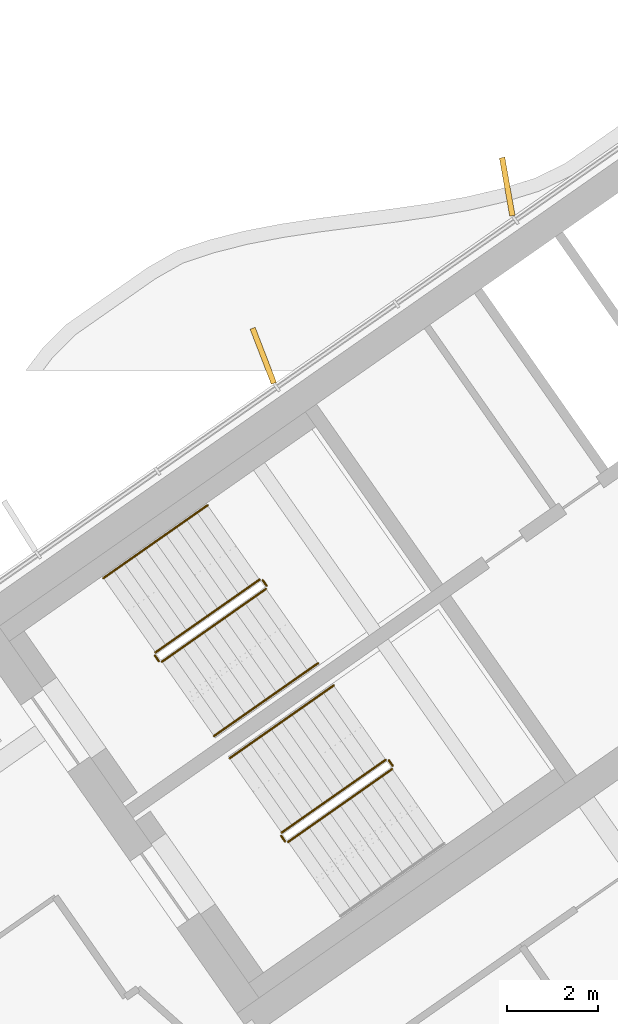
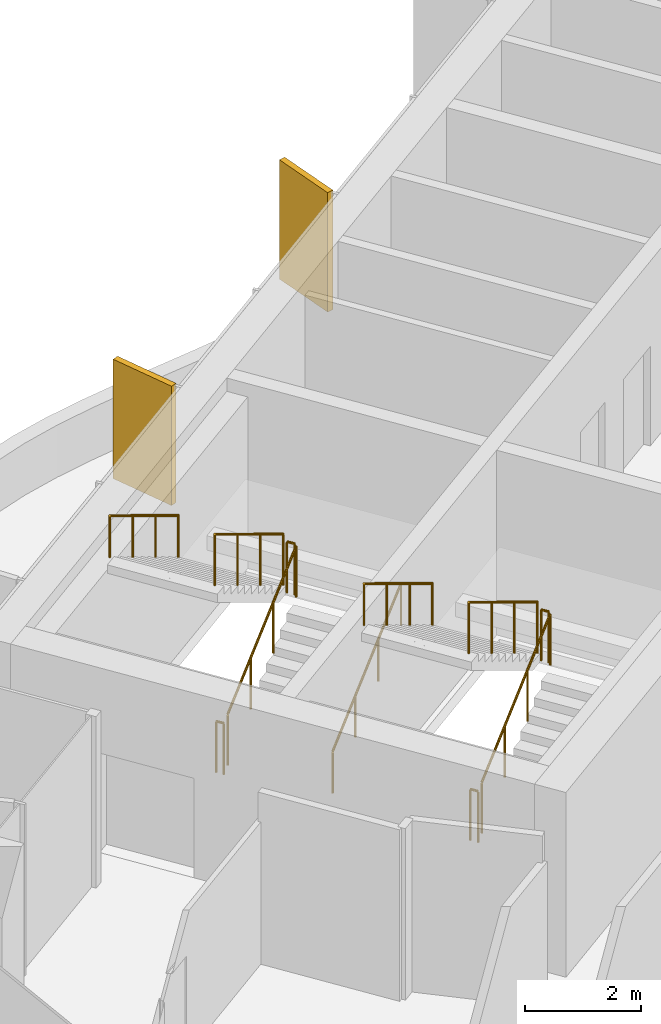
# One storey, part 17 of 20: 11 railings, 2 shading devices.
"""IFC4 building model written with IfcOpenShell, lengths in metres."""

import ifcopenshell
import ifcopenshell.guid

model = None  # the IFC model being written
_history = None  # IfcOwnerHistory: only IFC2X3 demands one
_inside = {}  # id of a spatial element -> (the spatial element, [elements in it])
_under = {}  # id of a project, library or spatial element -> (it, [spatial elements below it])
_declared = {}  # id of a project -> (the project, [libraries it declares])
_typed = {}  # id of a type object -> (the type object, [elements of that type])
_made_of = {}  # id of a material, layer set ... -> (it, [elements and type objects made of it])


def new_model(schema):
    """Start an empty IFC model of exactly this schema.

    Asked for "IFC4X3", IfcOpenShell would pick the latest addendum, in which some entities
    have other attributes; the version numbers below select the first issue.
    IFC2X3 requires an IfcOwnerHistory on every rooted entity: one is made here for all.
    """
    global model, _history
    if schema == "IFC4X3":
        model = ifcopenshell.file(schema_version=(4, 3, 0, 0))
    else:
        model = ifcopenshell.file(schema=schema)
    _inside.clear()
    _under.clear()
    _declared.clear()
    _typed.clear()
    _made_of.clear()
    _history = None
    if model.schema == "IFC2X3":
        org = make("IfcOrganization", Name="unknown")
        user = make(
            "IfcPersonAndOrganization",
            ThePerson=make("IfcPerson", FamilyName="unknown"),
            TheOrganization=org,
        )
        app = make(
            "IfcApplication",
            ApplicationDeveloper=org,
            Version="unknown",
            ApplicationFullName="unknown",
            ApplicationIdentifier="unknown",
        )
        _history = make(
            "IfcOwnerHistory",
            OwningUser=user,
            OwningApplication=app,
            ChangeAction="ADDED",
            CreationDate=0,
        )
    return model


def make(cls, **values):
    """One entity of the class cls with the attributes given. An attribute that is None is left unset."""
    return model.create_entity(
        cls, **{name: value for name, value in values.items() if value is not None}
    )


def rooted(cls, **values):
    """An entity with a GlobalId (a new one), such as an element, a storey or a relation."""
    return make(cls, GlobalId=ifcopenshell.guid.new(), OwnerHistory=_history, **values)


def si_unit(unit_type, name, prefix=None):
    """IfcSIUnit, for example si_unit("LENGTHUNIT", "METRE", prefix="MILLI")."""
    return make("IfcSIUnit", UnitType=unit_type, Prefix=prefix, Name=name)


def assignment(units):
    """IfcUnitAssignment: the units of a project."""
    return None if units is None else make("IfcUnitAssignment", Units=units)


def point(xyz):
    """IfcCartesianPoint."""
    return None if xyz is None else make("IfcCartesianPoint", Coordinates=xyz)


def direction(xyz):
    """IfcDirection."""
    return None if xyz is None else make("IfcDirection", DirectionRatios=xyz)


def frame(location, z_axis=None, x_axis=None):
    """IfcAxis2Placement3D, a coordinate frame: its origin and axes. An axis left out is left unset."""
    return make(
        "IfcAxis2Placement3D",
        Location=point(location),
        Axis=direction(z_axis),
        RefDirection=direction(x_axis),
    )


def frame_2d(location, x_axis=None):
    """IfcAxis2Placement2D, a coordinate frame in the plane: its origin and x axis."""
    return make(
        "IfcAxis2Placement2D", Location=point(location), RefDirection=direction(x_axis)
    )


def origin():
    """The frame at (0, 0, 0) with its axes left unset."""
    return frame((0.0, 0.0, 0.0))


def origin_2d():
    """The frame at (0, 0) in the plane with its x axis left unset."""
    return frame_2d((0.0, 0.0))


def place(relative_to, where):
    """IfcLocalPlacement: puts the frame where relative to a parent placement (None: the world)."""
    return make(
        "IfcLocalPlacement", PlacementRelTo=relative_to, RelativePlacement=where
    )


def context(
    kind, dimensions, precision=None, world=None, true_north=None, identifier=None
):
    """IfcGeometricRepresentationContext, for example the 3D "Model" context."""
    return make(
        "IfcGeometricRepresentationContext",
        ContextIdentifier=identifier,
        ContextType=kind,
        CoordinateSpaceDimension=dimensions,
        Precision=precision,
        WorldCoordinateSystem=world,
        TrueNorth=true_north,
    )


def subcontext(parent, identifier, kind, view, scale=None):
    """IfcGeometricRepresentationSubContext, for example "Body" below "Model"."""
    return make(
        "IfcGeometricRepresentationSubContext",
        ContextIdentifier=identifier,
        ContextType=kind,
        ParentContext=parent,
        TargetScale=scale,
        TargetView=view,
    )


def project(units=None, contexts=None):
    """IfcProject with its units and contexts."""
    return rooted(
        "IfcProject",
        Name="project",
        RepresentationContexts=contexts,
        UnitsInContext=assignment(units),
    )


def spatial(cls, under=None, at=None, **own):
    """A site, building, storey or space (cls), placed at a placement, below another one or the project."""
    s = rooted(cls, ObjectPlacement=at, **own)
    if under is not None:
        _under.setdefault(under.id(), (under, []))[1].append(s)
    return s


def profile(cls, at=None, kind="AREA", **sizes):
    """A parametric profile (cls). Its sizes go by their IFC names, for example OverallWidth=200.0."""
    return make(cls, ProfileType=kind, Position=at, **sizes)


def rectangle(**sizes):
    """IfcRectangleProfileDef."""
    return profile("IfcRectangleProfileDef", **sizes)


def circle(**sizes):
    """IfcCircleProfileDef."""
    return profile("IfcCircleProfileDef", **sizes)


def extrude(swept, where, along, depth):
    """IfcExtrudedAreaSolid: the profile swept, set in the frame where, extruded along a direction by depth."""
    return make(
        "IfcExtrudedAreaSolid",
        SweptArea=swept,
        Position=where,
        ExtrudedDirection=direction(along),
        Depth=depth,
    )


def shape(context_of_items, identifier, shape_type, items):
    """IfcShapeRepresentation: the items that make up one representation, for example the "Body"."""
    return make(
        "IfcShapeRepresentation",
        ContextOfItems=context_of_items,
        RepresentationIdentifier=identifier,
        RepresentationType=shape_type,
        Items=items,
    )


def material(Name=None, Category=None):
    """IfcMaterial."""
    return make("IfcMaterial", Name=Name, Category=Category)


def layer(
    of_material, thickness, ventilated=None, Name=None, Category=None, Priority=None
):
    """IfcMaterialLayer: one layer of a wall or slab, of a material (None: an air gap)."""
    return make(
        "IfcMaterialLayer",
        Material=of_material,
        LayerThickness=thickness,
        IsVentilated=ventilated,
        Name=Name,
        Category=Category,
        Priority=Priority,
    )


def layer_set(layers, Name=None):
    """IfcMaterialLayerSet."""
    return make("IfcMaterialLayerSet", MaterialLayers=layers, LayerSetName=Name)


def made_of(thing, what):
    """Note that an element or type object is made of a material, layer set ...; save() writes the relation."""
    if what is not None:
        _made_of.setdefault(what.id(), (what, []))[1].append(thing)
    return thing


def type_object(cls, material=None, **own):
    """A type object (cls), such as IfcWallType, which elements share."""
    return made_of(rooted(cls, **own), material)


def element(
    cls,
    number,
    at=None,
    inside=None,
    cuts=None,
    type_object=None,
    material=None,
    context=None,
    identifier="Body",
    shape_type=None,
    held_by="IfcProductDefinitionShape",
    body=None,
    shapes=None,
    **own,
):
    """One element of the class cls, such as IfcWall. Its Tag is "e" and its number.

    at: its placement. inside: the storey or other place that contains it. cuts: it is an
    opening in that element (IfcRelVoidsElement). A single representation is given by context,
    identifier, shape_type and body (its items); several are given by shapes. held_by: the class
    of the entity that holds the representations. save() writes the other relations.
    """
    e = rooted(cls, Tag="e%d" % number, ObjectPlacement=at, **own)
    if body is not None:
        shapes = [shape(context, identifier, shape_type, body)]
    if shapes is not None:
        e.Representation = make(held_by, Representations=shapes)
    if inside is not None:
        _inside.setdefault(inside.id(), (inside, []))[1].append(e)
    if cuts is not None:
        rooted(
            "IfcRelVoidsElement", RelatingBuildingElement=cuts, RelatedOpeningElement=e
        )
    if type_object is not None:
        _typed.setdefault(type_object.id(), (type_object, []))[1].append(e)
    return made_of(e, material)


def aggregate(whole, parts):
    """IfcRelAggregates: a whole, such as a stair, and the parts it consists of."""
    return rooted("IfcRelAggregates", RelatingObject=whole, RelatedObjects=parts)


def save(model, path):
    """Write the relations noted so far, then the file.

    IfcRelAggregates (storeys below a building ...), IfcRelContainedInSpatialStructure (elements
    in a storey), IfcRelDefinesByType, IfcRelAssociatesMaterial and IfcRelDeclares: one each for
    every whole, place, type object, material and project.
    """
    for whole, parts in _under.values():
        aggregate(whole, parts)
    for where, things in _inside.values():
        rooted(
            "IfcRelContainedInSpatialStructure",
            RelatedElements=things,
            RelatingStructure=where,
        )
    for kind, things in _typed.values():
        rooted("IfcRelDefinesByType", RelatedObjects=things, RelatingType=kind)
    for what, things in _made_of.values():
        rooted("IfcRelAssociatesMaterial", RelatedObjects=things, RelatingMaterial=what)
    for by, libraries in _declared.values():
        rooted("IfcRelDeclares", RelatingContext=by, RelatedDefinitions=libraries)
    model.write(path)


model = new_model("IFC4")

# Units and contexts
model_context = context("Model", 3, precision=1e-05, world=origin(), true_north=direction((0.0, 1.0)))
body_context = subcontext(model_context, "Body", "Model", "MODEL_VIEW")
ifc_project = project(units=[si_unit("LENGTHUNIT", "METRE"), si_unit("AREAUNIT", "SQUARE_METRE"), si_unit("VOLUMEUNIT", "CUBIC_METRE"), si_unit("PLANEANGLEUNIT", "RADIAN"), si_unit("MASSUNIT", "GRAM", prefix="KILO")], contexts=[model_context])

# Site, building, storey
site_placement = place(None, origin())
site = spatial("IfcSite", under=ifc_project, at=site_placement, CompositionType="ELEMENT")
building_placement = place(site_placement, origin())
building = spatial("IfcBuilding", under=site, at=building_placement, Name="Tel Ilan Convention Tower", CompositionType="ELEMENT")
storey_placement = place(building_placement, frame((0.0, 0.0, 237.10009765625)))
storey = spatial("IfcBuildingStorey", under=building, at=storey_placement, Name="L55", CompositionType="ELEMENT", Elevation=237.10009765625)

# Shading devices
ifc_material_1 = material(Name="Aluminium, bronze anodised", Category="aluminium")
ifc_layer = layer(ifc_material_1, 0.1201171875)
ifc_layer_set = layer_set([ifc_layer], Name="FIN BRONZE 1300x120")
shading_device_type = type_object("IfcShadingDeviceType", Name="FIN BRONZE 1300x120", PredefinedType="USERDEFINED", material=ifc_layer_set)
for number, where, z_axis, x_axis, name in (
    (1, (-15.9228515625, 2.41845703125, 1.099853515625), (0.0, 0.0, 1.0), (-0.173648177667, 0.984807753012, 0.0), "FIN"),
    (2, (-21.302978515625, -1.31103515625, 1.099853515625), (0.0, 0.0, 1.0), (-0.360177724803, 0.932883704733, 0.0), "FIN"),
):
    element("IfcShadingDevice", number, at=place(storey_placement, frame(where, z_axis=z_axis, x_axis=x_axis)), inside=storey, type_object=shading_device_type, Name=name, ObjectType="FIN", PredefinedType="USERDEFINED", context=body_context, shape_type="SweptSolid", body=[
        extrude(rectangle(XDim=1.300048828125, YDim=0.1201171875, at=origin_2d()), origin(), (0.0, 0.0, 1.0), 2.52001953125),
    ])

# Railings
ifc_material_2 = material(Name="Stainless Steel Grade 316", Category="steel")
railing_type_1 = type_object("IfcRailingType", Name="Stainless Steel Stair Guard 1100 mm", PredefinedType="GUARDRAIL", material=ifc_material_2)
railing_1_placement = place(storey_placement, frame((-23.535400390625, -8.056396484375, 0.17724609375)))
element("IfcRailing", 3, at=railing_1_placement, inside=storey, type_object=railing_type_1, Name="L55 S1 stair guard 1", PredefinedType="GUARDRAIL", context=body_context, shape_type="SweptSolid", body=[
    extrude(circle(Radius=0.02392578125, at=origin_2d()), frame((0.0, 0.0, 1.076171875), z_axis=(0.692098378994, 0.484653031975, 0.534893701956), x_axis=(-0.573608623498, 0.819129505664, 0.0)), (0.0, 0.0, 1.0), 3.314208984375),
    extrude(circle(Radius=0.02099609375, at=origin_2d()), origin(), (0.0, 0.0, 1.0), 1.052001953125),
    extrude(circle(Radius=0.02099609375, at=origin_2d()), frame((0.7646484375, 0.535400390625, 0.5908203125)), (0.0, 0.0, 1.0), 1.052001953125),
    extrude(circle(Radius=0.02099609375, at=origin_2d()), frame((1.529052734375, 1.07080078125, 1.181884765625)), (0.0, 0.0, 1.0), 1.052001953125),
    extrude(circle(Radius=0.02099609375, at=origin_2d()), frame((2.293701171875, 1.606201171875, 1.772705078125)), (0.0, 0.0, 1.0), 1.052001953125),
])
railing_2_placement = place(storey_placement, frame((-21.2294921875, -6.380615234375, 1.949951171875)))
element("IfcRailing", 4, at=railing_2_placement, inside=storey, type_object=railing_type_1, Name="L55 S1 stair guard 2", PredefinedType="GUARDRAIL", context=body_context, shape_type="SweptSolid", body=[
    extrude(circle(Radius=0.02392578125, at=origin_2d()), frame((0.0, 0.0, 1.076171875), z_axis=(-0.573353020881, 0.819308436089, 0.0), x_axis=(-0.819308436089, -0.573353020881, 0.0)), (0.0, 0.0, 1.0), 0.14990234375),
    extrude(circle(Radius=0.02099609375, at=origin_2d()), origin(), (0.0, 0.0, 1.0), 1.052001953125),
    extrude(circle(Radius=0.02099609375, at=origin_2d()), frame((-0.0859375, 0.122802734375, 0.0)), (0.0, 0.0, 1.0), 1.052001953125),
])
railing_3_placement = place(storey_placement, frame((-21.38525390625, -6.24560546875, 2.127197265625)))
element("IfcRailing", 5, at=railing_3_placement, inside=storey, type_object=railing_type_1, Name="L55 S1 stair guard 3", PredefinedType="GUARDRAIL", context=body_context, shape_type="SweptSolid", body=[
    extrude(circle(Radius=0.02392578125, at=origin_2d()), frame((0.0, 0.0, 1.076171875), z_axis=(-0.692084706163, -0.484621375041, 0.534940073605), x_axis=(0.573591086599, -0.819141785879, 0.0)), (0.0, 0.0, 1.0), 3.313720703125),
    extrude(circle(Radius=0.02099609375, at=origin_2d()), origin(), (0.0, 0.0, 1.0), 1.052001953125),
    extrude(circle(Radius=0.02099609375, at=origin_2d()), frame((-0.764404296875, -0.535400390625, 0.5908203125)), (0.0, 0.0, 1.0), 1.052001953125),
    extrude(circle(Radius=0.02099609375, at=origin_2d()), frame((-1.529052734375, -1.070556640625, 1.181884765625)), (0.0, 0.0, 1.0), 1.052001953125),
    extrude(circle(Radius=0.02099609375, at=origin_2d()), frame((-2.29345703125, -1.60595703125, 1.772705078125)), (0.0, 0.0, 1.0), 1.052001953125),
])
railing_4_placement = place(storey_placement, frame((-23.60498046875, -8.0439453125, 0.0)))
element("IfcRailing", 6, at=railing_4_placement, inside=storey, type_object=railing_type_1, Name="L55 S1 stair guard 4", PredefinedType="GUARDRAIL", context=body_context, shape_type="SweptSolid", body=[
    extrude(circle(Radius=0.02392578125, at=origin_2d()), frame((0.0, 0.0, 1.076171875), z_axis=(-0.574444878118, 0.818543268254, 0.0), x_axis=(-0.818543268254, -0.574444878118, 0.0)), (0.0, 0.0, 1.0), 0.150146484375),
    extrude(circle(Radius=0.02099609375, at=origin_2d()), origin(), (0.0, 0.0, 1.0), 1.052001953125),
    extrude(circle(Radius=0.02099609375, at=origin_2d()), frame((-0.086181640625, 0.122802734375, 0.0)), (0.0, 0.0, 1.0), 1.052001953125),
])
railing_5_placement = place(storey_placement, frame((-20.753662109375, -12.029296875, 0.17724609375)))
element("IfcRailing", 7, at=railing_5_placement, inside=storey, type_object=railing_type_1, Name="L55 S2 stair guard 1", PredefinedType="GUARDRAIL", context=body_context, shape_type="SweptSolid", body=[
    extrude(circle(Radius=0.02392578125, at=origin_2d()), frame((0.0, 0.0, 1.076171875), z_axis=(0.692098378994, 0.484653031975, 0.534893701956), x_axis=(-0.573608623498, 0.819129505664, 0.0)), (0.0, 0.0, 1.0), 3.314208984375),
    extrude(circle(Radius=0.02099609375, at=origin_2d()), origin(), (0.0, 0.0, 1.0), 1.052001953125),
    extrude(circle(Radius=0.02099609375, at=origin_2d()), frame((0.7646484375, 0.535400390625, 0.5908203125)), (0.0, 0.0, 1.0), 1.052001953125),
    extrude(circle(Radius=0.02099609375, at=origin_2d()), frame((1.529052734375, 1.07080078125, 1.181884765625)), (0.0, 0.0, 1.0), 1.052001953125),
    extrude(circle(Radius=0.02099609375, at=origin_2d()), frame((2.293701171875, 1.606201171875, 1.772705078125)), (0.0, 0.0, 1.0), 1.052001953125),
])
railing_6_placement = place(storey_placement, frame((-18.44775390625, -10.353515625, 1.949951171875)))
element("IfcRailing", 8, at=railing_6_placement, inside=storey, type_object=railing_type_1, Name="L55 S2 stair guard 2", PredefinedType="GUARDRAIL", context=body_context, shape_type="SweptSolid", body=[
    extrude(circle(Radius=0.02392578125, at=origin_2d()), frame((0.0, 0.0, 1.076171875), z_axis=(-0.573353020881, 0.819308436089, 0.0), x_axis=(-0.819308436089, -0.573353020881, 0.0)), (0.0, 0.0, 1.0), 0.14990234375),
    extrude(circle(Radius=0.02099609375, at=origin_2d()), origin(), (0.0, 0.0, 1.0), 1.052001953125),
    extrude(circle(Radius=0.02099609375, at=origin_2d()), frame((-0.0859375, 0.122802734375, 0.0)), (0.0, 0.0, 1.0), 1.052001953125),
])
railing_7_placement = place(storey_placement, frame((-18.603271484375, -10.218505859375, 2.127197265625)))
element("IfcRailing", 9, at=railing_7_placement, inside=storey, type_object=railing_type_1, Name="L55 S2 stair guard 3", PredefinedType="GUARDRAIL", context=body_context, shape_type="SweptSolid", body=[
    extrude(circle(Radius=0.02392578125, at=origin_2d()), frame((0.0, 0.0, 1.076171875), z_axis=(-0.692123088272, -0.484596665743, 0.534912798717), x_axis=(0.573550118428, -0.819170471667, 0.0)), (0.0, 0.0, 1.0), 3.31396484375),
    extrude(circle(Radius=0.02099609375, at=origin_2d()), origin(), (0.0, 0.0, 1.0), 1.052001953125),
    extrude(circle(Radius=0.02099609375, at=origin_2d()), frame((-0.7646484375, -0.535400390625, 0.5908203125)), (0.0, 0.0, 1.0), 1.052001953125),
    extrude(circle(Radius=0.02099609375, at=origin_2d()), frame((-1.529052734375, -1.070556640625, 1.181884765625)), (0.0, 0.0, 1.0), 1.052001953125),
    extrude(circle(Radius=0.02099609375, at=origin_2d()), frame((-2.293701171875, -1.60595703125, 1.772705078125)), (0.0, 0.0, 1.0), 1.052001953125),
])
railing_8_placement = place(storey_placement, frame((-20.8232421875, -12.016845703125, 0.0)))
element("IfcRailing", 10, at=railing_8_placement, inside=storey, type_object=railing_type_1, Name="L55 S2 stair guard 4", PredefinedType="GUARDRAIL", context=body_context, shape_type="SweptSolid", body=[
    extrude(circle(Radius=0.02392578125, at=origin_2d()), frame((0.0, 0.0, 1.076171875), z_axis=(-0.573353020881, 0.819308436089, 0.0), x_axis=(-0.819308436089, -0.573353020881, 0.0)), (0.0, 0.0, 1.0), 0.14990234375),
    extrude(circle(Radius=0.02099609375, at=origin_2d()), origin(), (0.0, 0.0, 1.0), 1.052001953125),
    extrude(circle(Radius=0.02099609375, at=origin_2d()), frame((-0.0859375, 0.122802734375, 0.0)), (0.0, 0.0, 1.0), 1.052001953125),
])
ifc_material_3 = material(Name="Stainless Steel Grade 316", Category="steel")
railing_type_2 = type_object("IfcRailingType", Name="Stainless Steel Stair Handrail 900 mm", PredefinedType="HANDRAIL", material=ifc_material_3)
railing_9_placement = place(storey_placement, frame((-22.38818359375, -9.694580078125, 0.17724609375)))
element("IfcRailing", 11, at=railing_9_placement, inside=storey, type_object=railing_type_2, Name="L55 S1 stair handrail 1", PredefinedType="HANDRAIL", context=body_context, shape_type="SweptSolid", body=[
    extrude(circle(Radius=0.02392578125, at=origin_2d()), frame((0.0, 0.0, 0.8759765625), z_axis=(0.692084706163, 0.484621375041, 0.534940073605), x_axis=(-0.573591086599, 0.819141785879, 0.0)), (0.0, 0.0, 1.0), 3.313720703125),
    extrude(circle(Radius=0.02099609375, at=origin_2d()), origin(), (0.0, 0.0, 1.0), 0.851806640625),
    extrude(circle(Radius=0.02099609375, at=origin_2d()), frame((0.764404296875, 0.535400390625, 0.5908203125)), (0.0, 0.0, 1.0), 0.851806640625),
    extrude(circle(Radius=0.02099609375, at=origin_2d()), frame((1.529052734375, 1.070556640625, 1.181884765625)), (0.0, 0.0, 1.0), 0.851806640625),
    extrude(circle(Radius=0.02099609375, at=origin_2d()), frame((2.29345703125, 1.60595703125, 1.772705078125)), (0.0, 0.0, 1.0), 0.851806640625),
])
for number, where, name in (
    (12, (-22.5322265625, -4.607177734375, 2.127197265625), "L55 S1 stair handrail 2"),
    (13, (-19.75048828125, -8.580078125, 2.127197265625), "L55 S2 stair handrail 2"),
):
    element("IfcRailing", number, at=place(storey_placement, frame(where)), inside=storey, type_object=railing_type_2, Name=name, PredefinedType="HANDRAIL", context=body_context, shape_type="SweptSolid", body=[
        extrude(circle(Radius=0.02392578125, at=origin_2d()), frame((0.0, 0.0, 0.8759765625), z_axis=(-0.692123088272, -0.484596665743, 0.534912798717), x_axis=(0.573550118428, -0.819170471667, 0.0)), (0.0, 0.0, 1.0), 3.31396484375),
        extrude(circle(Radius=0.02099609375, at=origin_2d()), origin(), (0.0, 0.0, 1.0), 0.851806640625),
        extrude(circle(Radius=0.02099609375, at=origin_2d()), frame((-0.7646484375, -0.535400390625, 0.5908203125)), (0.0, 0.0, 1.0), 0.851806640625),
        extrude(circle(Radius=0.02099609375, at=origin_2d()), frame((-1.529052734375, -1.070556640625, 1.181884765625)), (0.0, 0.0, 1.0), 0.851806640625),
        extrude(circle(Radius=0.02099609375, at=origin_2d()), frame((-2.293701171875, -1.60595703125, 1.772705078125)), (0.0, 0.0, 1.0), 0.851806640625),
    ])

save(model, "model.ifc")
